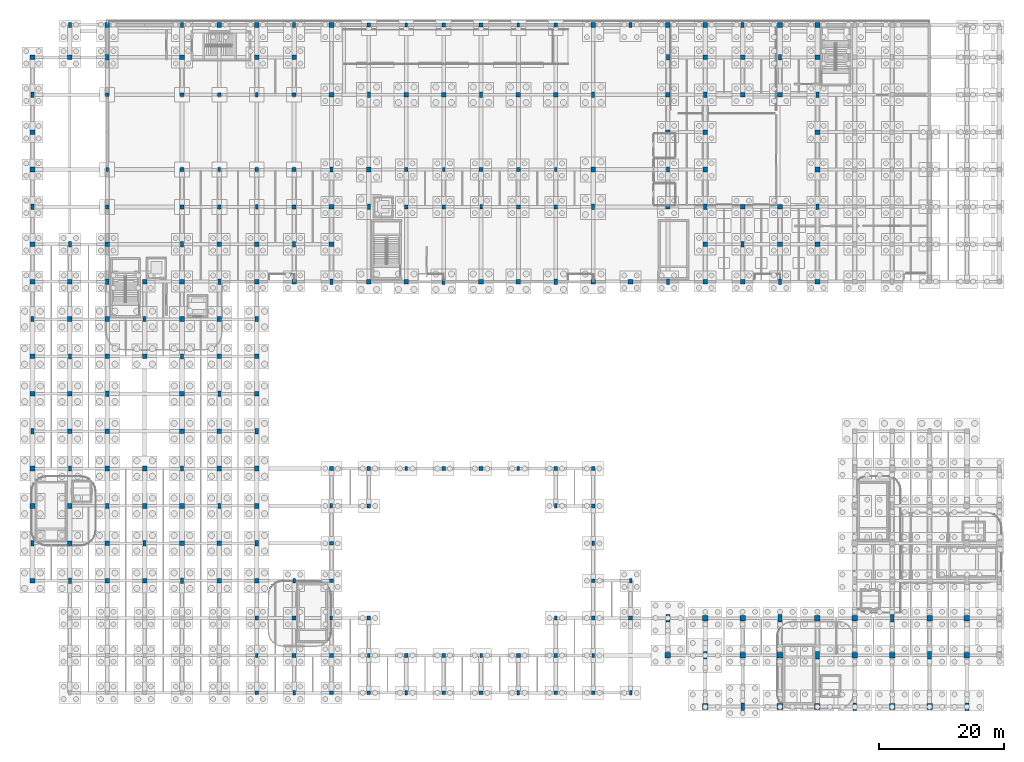
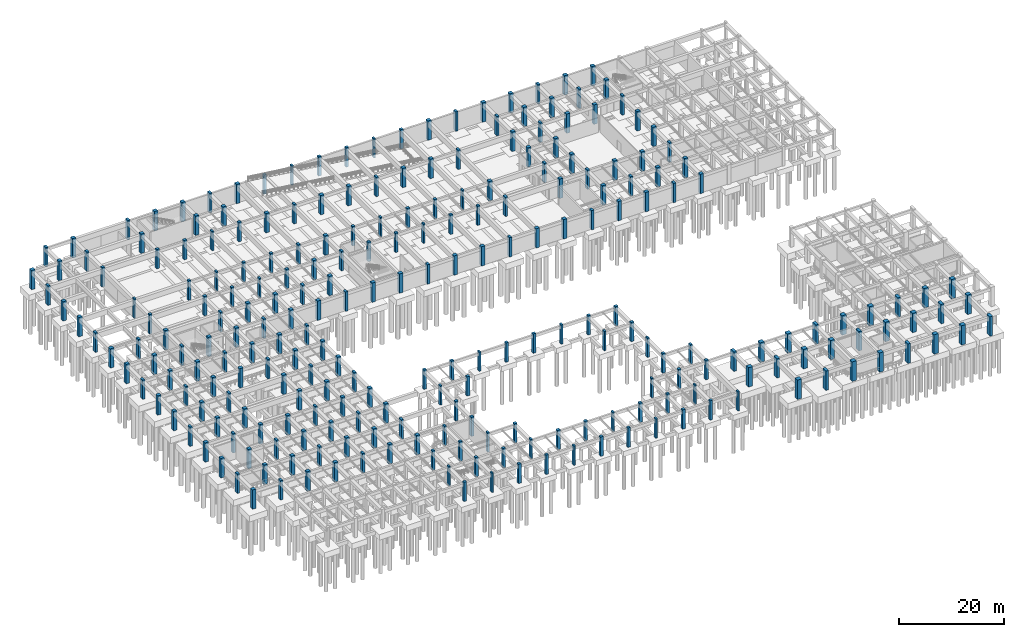
# One storey, part 11 of 32: 250 columns.
"""IFC4 building model written with IfcOpenShell, lengths in metres."""

from ifc_helpers import new_model, si_unit, direction, frame, origin, origin_2d, place, context, subcontext, project, spatial, rectangle, extrude, material, material_profile, profile_set, type_object, element, save


model = new_model("IFC4")

# Units and contexts
model_context = context("Model", 3, precision=1e-05, world=origin(), true_north=direction((0.0, 1.0)))
body_context = subcontext(model_context, "Body", "Model", "MODEL_VIEW")
ifc_project = project(units=[si_unit("LENGTHUNIT", "METRE"), si_unit("AREAUNIT", "SQUARE_METRE"), si_unit("VOLUMEUNIT", "CUBIC_METRE"), si_unit("PLANEANGLEUNIT", "RADIAN"), si_unit("MASSUNIT", "GRAM", prefix="KILO")], contexts=[model_context])

# Site, building, storey
site_placement = place(None, origin())
site = spatial("IfcSite", under=ifc_project, at=site_placement, CompositionType="ELEMENT")
building_placement = place(site_placement, origin())
building = spatial("IfcBuilding", under=site, at=building_placement, Name="Varnakota Square Police Headquarters", CompositionType="ELEMENT")
storey_placement = place(building_placement, frame((0.0, 0.0, -4.5)))
storey = spatial("IfcBuildingStorey", under=building, at=storey_placement, Name="B1", CompositionType="ELEMENT", Elevation=-4.5)

# Columns
ifc_material_1 = material(Name="Concrete M40", Category="concrete")
ifc_material_profile_1 = material_profile(ifc_material_1, rectangle(XDim=0.39990234375, YDim=0.699951171875, at=origin_2d()), Name="RC 400x700")
ifc_profile_set_1 = profile_set([ifc_material_profile_1], Name="Concrete M40")
column_type_1 = type_object("IfcColumnType", Name="COL-RC400x700", PredefinedType="COLUMN", material=ifc_profile_set_1)
for number, where, z_axis, x_axis, name in (
    (1, (18.0, 87.0, 0.0), (0.0, 0.0, 1.0), (1.0, 0.0, 0.0), "Column X0180-Y0870 B1"),
    (2, (36.0, 87.0, 0.0), (0.0, 0.0, 1.0), (1.0, 0.0, 0.0), "Column X0360-Y0870 B1"),
    (3, (42.0, 9.0, 0.0), (0.0, 0.0, 1.0), (1.0, 0.0, 0.0), "Column X0420-Y0090 B1"),
    (4, (42.0, 81.0, 0.0), (0.0, 0.0, 1.0), (1.0, 0.0, 0.0), "Column X0420-Y0810 B1"),
    (5, (42.0, 99.0, 0.0), (0.0, 0.0, 1.0), (1.0, 0.0, 0.0), "Column X0420-Y0990 B1"),
    (6, (48.0, 3.0, 0.0), (0.0, 0.0, 1.0), (1.0, 0.0, 0.0), "Column X0480-Y0030 B1"),
    (7, (48.0, 21.0, 0.0), (0.0, 0.0, 1.0), (1.0, 0.0, 0.0), "Column X0480-Y0210 B1"),
    (8, (54.0, 15.0, 0.0), (0.0, 0.0, 1.0), (1.0, 0.0, 0.0), "Column X0540-Y0150 B1"),
    (9, (54.0, 33.0, 0.0), (0.0, 0.0, 1.0), (1.0, 0.0, 0.0), "Column X0540-Y0330 B1"),
    (10, (60.0, 9.0, 0.0), (0.0, 0.0, 1.0), (1.0, 0.0, 0.0), "Column X0600-Y0090 B1"),
    (11, (66.0, 3.0, 0.0), (0.0, 0.0, 1.0), (1.0, 0.0, 0.0), "Column X0660-Y0030 B1"),
    (12, (66.0, 39.0, 0.0), (0.0, 0.0, 1.0), (1.0, 0.0, 0.0), "Column X0660-Y0390 B1"),
    (13, (66.0, 110.199951171875, 0.0), (0.0, 0.0, 1.0), (1.0, 0.0, 0.0), "Column X0660-Y1102 B1"),
    (14, (72.0, 87.0, 0.0), (0.0, 0.0, 1.0), (1.0, 0.0, 0.0), "Column X0720-Y0870 B1"),
    (15, (78.0, 9.0, 0.0), (0.0, 0.0, 1.0), (1.0, 0.0, 0.0), "Column X0780-Y0090 B1"),
    (16, (78.0, 81.0, 0.0), (0.0, 0.0, 1.0), (1.0, 0.0, 0.0), "Column X0780-Y0810 B1"),
    (17, (84.0, 3.0, 0.0), (0.0, 0.0, 1.0), (1.0, 0.0, 0.0), "Column X0840-Y0030 B1"),
    (18, (84.0, 39.0, 0.0), (0.0, 0.0, 1.0), (1.0, 0.0, 0.0), "Column X0840-Y0390 B1"),
    (19, (84.0, 110.199951171875, 0.0), (0.0, 0.0, 1.0), (1.0, 0.0, 0.0), "Column X0840-Y1102 B1"),
    (20, (90.0, 15.0, 0.0), (0.0, 0.0, 1.0), (1.0, 0.0, 0.0), "Column X0900-Y0150 B1"),
    (21, (90.0, 33.0, 0.0), (0.0, 0.0, 1.0), (1.0, 0.0, 0.0), "Column X0900-Y0330 B1"),
    (22, (90.0, 87.0, 0.0), (0.0, 0.0, 1.0), (1.0, 0.0, 0.0), "Column X0900-Y0870 B1"),
    (23, (96.0, 9.0, 0.0), (0.0, 0.0, 1.0), (1.0, 0.0, 0.0), "Column X0960-Y0090 B1"),
    (24, (96.0, 27.0, 0.0), (0.0, 0.0, 1.0), (1.0, 0.0, 0.0), "Column X0960-Y0270 B1"),
    (25, (102.0, 3.0, 0.0), (0.0, 0.0, 1.0), (1.0, 0.0, 0.0), "Column X1020-Y0030 B1"),
    (26, (102.0, 21.0, 0.0), (0.0, 0.0, 1.0), (1.0, 0.0, 0.0), "Column X1020-Y0210 B1"),
):
    element("IfcColumn", number, at=place(storey_placement, frame(where, z_axis=z_axis, x_axis=x_axis)), inside=storey, type_object=column_type_1, Name=name, PredefinedType="COLUMN", context=body_context, shape_type="SweptSolid", body=[
        extrude(rectangle(XDim=0.39990234375, YDim=0.699951171875, at=origin_2d()), origin(), (0.0, 0.0, 1.0), 4.5),
    ])
ifc_material_2 = material(Name="Concrete M50", Category="concrete")
ifc_material_profile_2 = material_profile(ifc_material_2, rectangle(XDim=0.5, YDim=0.85009765625, at=origin_2d()), Name="RC 500x850")
ifc_profile_set_2 = profile_set([ifc_material_profile_2], Name="Concrete M50")
column_type_2 = type_object("IfcColumnType", Name="COL-RC500x850", PredefinedType="COLUMN", material=ifc_profile_set_2)
for number, where, z_axis, x_axis, name in (
    (27, (6.0, 27.0, 0.0), (0.0, 0.0, 1.0), (1.0, 0.0, 0.0), "Column X0060-Y0270 B1"),
    (28, (6.0, 45.0, 0.0), (0.0, 0.0, 1.0), (1.0, 0.0, 0.0), "Column X0060-Y0450 B1"),
    (29, (6.0, 63.0, 0.0), (0.0, 0.0, 1.0), (1.0, 0.0, 0.0), "Column X0060-Y0630 B1"),
    (30, (6.0, 81.0, 0.0), (0.0, 0.0, 1.0), (1.0, 0.0, 0.0), "Column X0060-Y0810 B1"),
    (31, (6.0, 99.0, 0.0), (0.0, 0.0, 1.0), (1.0, 0.0, 0.0), "Column X0060-Y0990 B1"),
    (32, (12.0, 21.0, 0.0), (0.0, 0.0, 1.0), (1.0, 0.0, 0.0), "Column X0120-Y0210 B1"),
    (33, (12.0, 39.0, 0.0), (0.0, 0.0, 1.0), (1.0, 0.0, 0.0), "Column X0120-Y0390 B1"),
    (34, (12.0, 57.0, 0.0), (0.0, 0.0, 1.0), (1.0, 0.0, 0.0), "Column X0120-Y0570 B1"),
    (35, (12.0, 75.0, 0.0), (0.0, 0.0, 1.0), (1.0, 0.0, 0.0), "Column X0120-Y0750 B1"),
    (36, (12.0, 110.199951171875, 0.0), (0.0, 0.0, 1.0), (1.0, 0.0, 0.0), "Column X0120-Y1102 B1"),
    (37, (18.0, 33.0, 0.0), (0.0, 0.0, 1.0), (1.0, 0.0, 0.0), "Column X0180-Y0330 B1"),
    (38, (18.0, 51.0, 0.0), (0.0, 0.0, 1.0), (1.0, 0.0, 0.0), "Column X0180-Y0510 B1"),
    (39, (18.0, 69.0, 0.0), (0.0, 0.0, 1.0), (1.0, 0.0, 0.0), "Column X0180-Y0690 B1"),
    (40, (18.0, 105.0, 0.0), (0.0, 0.0, 1.0), (1.0, 0.0, 0.0), "Column X0180-Y1050 B1"),
    (41, (24.0, 27.0, 0.0), (0.0, 0.0, 1.0), (1.0, 0.0, 0.0), "Column X0240-Y0270 B1"),
    (42, (24.0, 63.0, 0.0), (0.0, 0.0, 1.0), (1.0, 0.0, 0.0), "Column X0240-Y0630 B1"),
    (43, (30.0, 21.0, 0.0), (0.0, 0.0, 1.0), (1.0, 0.0, 0.0), "Column X0300-Y0210 B1"),
    (44, (30.0, 39.0, 0.0), (0.0, 0.0, 1.0), (1.0, 0.0, 0.0), "Column X0300-Y0390 B1"),
    (45, (30.0, 57.0, 0.0), (0.0, 0.0, 1.0), (1.0, 0.0, 0.0), "Column X0300-Y0570 B1"),
    (46, (30.0, 75.0, 0.0), (0.0, 0.0, 1.0), (1.0, 0.0, 0.0), "Column X0300-Y0750 B1"),
    (47, (30.0, 110.199951171875, 0.0), (0.0, 0.0, 1.0), (1.0, 0.0, 0.0), "Column X0300-Y1102 B1"),
    (48, (36.0, 33.0, 0.0), (0.0, 0.0, 1.0), (1.0, 0.0, 0.0), "Column X0360-Y0330 B1"),
    (49, (36.0, 51.0, 0.0), (0.0, 0.0, 1.0), (1.0, 0.0, 0.0), "Column X0360-Y0510 B1"),
    (50, (36.0, 69.0, 0.0), (0.0, 0.0, 1.0), (1.0, 0.0, 0.0), "Column X0360-Y0690 B1"),
    (51, (42.0, 27.0, 0.0), (0.0, 0.0, 1.0), (1.0, 0.0, 0.0), "Column X0420-Y0270 B1"),
    (52, (42.0, 45.0, 0.0), (0.0, 0.0, 1.0), (1.0, 0.0, 0.0), "Column X0420-Y0450 B1"),
    (53, (42.0, 63.0, 0.0), (0.0, 0.0, 1.0), (1.0, 0.0, 0.0), "Column X0420-Y0630 B1"),
    (54, (48.0, 75.0, 0.0), (0.0, 0.0, 1.0), (1.0, 0.0, 0.0), "Column X0480-Y0750 B1"),
    (55, (48.0, 110.199951171875, 0.0), (0.0, 0.0, 1.0), (1.0, 0.0, 0.0), "Column X0480-Y1102 B1"),
    (56, (54.0, 69.0, 0.0), (0.0, 0.0, 1.0), (1.0, 0.0, 0.0), "Column X0540-Y0690 B1"),
    (57, (54.0, 87.0, 0.0), (0.0, 0.0, 1.0), (1.0, 0.0, 0.0), "Column X0540-Y0870 B1"),
    (58, (60.0, 81.0, 0.0), (0.0, 0.0, 1.0), (1.0, 0.0, 0.0), "Column X0600-Y0810 B1"),
    (59, (60.0, 99.0, 0.0), (0.0, 0.0, 1.0), (1.0, 0.0, 0.0), "Column X0600-Y0990 B1"),
    (60, (72.0, 69.0, 0.0), (0.0, 0.0, 1.0), (1.0, 0.0, 0.0), "Column X0720-Y0690 B1"),
    (61, (78.0, 99.0, 0.0), (0.0, 0.0, 1.0), (1.0, 0.0, 0.0), "Column X0780-Y0990 B1"),
    (62, (90.0, 69.0, 0.0), (0.0, 0.0, 1.0), (1.0, 0.0, 0.0), "Column X0900-Y0690 B1"),
    (63, (96.0, 81.0, 0.0), (0.0, 0.0, 1.0), (1.0, 0.0, 0.0), "Column X0960-Y0810 B1"),
    (64, (96.0, 99.0, 0.0), (0.0, 0.0, 1.0), (1.0, 0.0, 0.0), "Column X0960-Y0990 B1"),
    (65, (102.0, 110.199951171875, 0.0), (0.0, 0.0, 1.0), (1.0, 0.0, 0.0), "Column X1020-Y1102 B1"),
    (66, (108.0, 69.0, 0.0), (0.0, 0.0, 1.0), (1.0, 0.0, 0.0), "Column X1080-Y0690 B1"),
    (67, (108.0, 87.0, 0.0), (0.0, 0.0, 1.0), (1.0, 0.0, 0.0), "Column X1080-Y0870 B1"),
    (68, (108.0, 105.0, 0.0), (0.0, 0.0, 1.0), (1.0, 0.0, 0.0), "Column X1080-Y1050 B1"),
    (69, (114.0, 81.0, 0.0), (0.0, 0.0, 1.0), (1.0, 0.0, 0.0), "Column X1140-Y0810 B1"),
    (70, (114.0, 99.0, 0.0), (0.0, 0.0, 1.0), (1.0, 0.0, 0.0), "Column X1140-Y0990 B1"),
    (71, (120.0, 75.0, 0.0), (0.0, 0.0, 1.0), (1.0, 0.0, 0.0), "Column X1200-Y0750 B1"),
    (72, (120.0, 110.199951171875, 0.0), (0.0, 0.0, 1.0), (1.0, 0.0, 0.0), "Column X1200-Y1102 B1"),
    (73, (126.0, 69.0, 0.0), (0.0, 0.0, 1.0), (1.0, 0.0, 0.0), "Column X1260-Y0690 B1"),
    (74, (126.0, 105.0, 0.0), (0.0, 0.0, 1.0), (1.0, 0.0, 0.0), "Column X1260-Y1050 B1"),
    (75, (132.0, 81.0, 0.0), (0.0, 0.0, 1.0), (1.0, 0.0, 0.0), "Column X1320-Y0810 B1"),
    (76, (132.0, 99.0, 0.0), (0.0, 0.0, 1.0), (1.0, 0.0, 0.0), "Column X1320-Y0990 B1"),
):
    element("IfcColumn", number, at=place(storey_placement, frame(where, z_axis=z_axis, x_axis=x_axis)), inside=storey, type_object=column_type_2, Name=name, PredefinedType="COLUMN", context=body_context, shape_type="SweptSolid", body=[
        extrude(rectangle(XDim=0.5, YDim=0.85009765625, at=origin_2d()), origin(), (0.0, 0.0, 1.0), 4.5),
    ])
ifc_material_profile_3 = material_profile(ifc_material_1, rectangle(XDim=0.60009765625, YDim=0.60009765625, at=origin_2d()), Name="RC 600x600")
ifc_profile_set_3 = profile_set([ifc_material_profile_3], Name="Concrete M40")
column_type_3 = type_object("IfcColumnType", Name="COL-RC600", PredefinedType="COLUMN", material=ifc_profile_set_3)
for number, where, z_axis, x_axis, name in (
    (77, (18.0, 81.0, 0.0), (0.0, 0.0, 1.0), (1.0, 0.0, 0.0), "Column X0180-Y0810 B1"),
    (78, (18.0, 99.0, 0.0), (0.0, 0.0, 1.0), (1.0, 0.0, 0.0), "Column X0180-Y0990 B1"),
    (79, (30.0, 81.0, 0.0), (0.0, 0.0, 1.0), (1.0, 0.0, 0.0), "Column X0300-Y0810 B1"),
    (80, (30.0, 87.0, 0.0), (0.0, 0.0, 1.0), (1.0, 0.0, 0.0), "Column X0300-Y0870 B1"),
    (81, (30.0, 99.0, 0.0), (0.0, 0.0, 1.0), (1.0, 0.0, 0.0), "Column X0300-Y0990 B1"),
    (82, (36.0, 81.0, 0.0), (0.0, 0.0, 1.0), (1.0, 0.0, 0.0), "Column X0360-Y0810 B1"),
    (83, (36.0, 99.0, 0.0), (0.0, 0.0, 1.0), (1.0, 0.0, 0.0), "Column X0360-Y0990 B1"),
    (84, (42.0, 3.0, 0.0), (0.0, 0.0, 1.0), (1.0, 0.0, 0.0), "Column X0420-Y0030 B1"),
    (85, (42.0, 15.0, 0.0), (0.0, 0.0, 1.0), (1.0, 0.0, 0.0), "Column X0420-Y0150 B1"),
    (86, (42.0, 87.0, 0.0), (0.0, 0.0, 1.0), (1.0, 0.0, 0.0), "Column X0420-Y0870 B1"),
    (87, (48.0, 9.0, 0.0), (0.0, 0.0, 1.0), (1.0, 0.0, 0.0), "Column X0480-Y0090 B1"),
    (88, (48.0, 15.0, 0.0), (0.0, 0.0, 1.0), (1.0, 0.0, 0.0), "Column X0480-Y0150 B1"),
    (89, (48.0, 81.0, 0.0), (0.0, 0.0, 1.0), (1.0, 0.0, 0.0), "Column X0480-Y0810 B1"),
    (90, (48.0, 87.0, 0.0), (0.0, 0.0, 1.0), (1.0, 0.0, 0.0), "Column X0480-Y0870 B1"),
    (91, (48.0, 99.0, 0.0), (0.0, 0.0, 1.0), (1.0, 0.0, 0.0), "Column X0480-Y0990 B1"),
    (92, (54.0, 3.0, 0.0), (0.0, 0.0, 1.0), (1.0, 0.0, 0.0), "Column X0540-Y0030 B1"),
    (93, (54.0, 9.0, 0.0), (0.0, 0.0, 1.0), (1.0, 0.0, 0.0), "Column X0540-Y0090 B1"),
    (94, (54.0, 21.0, 0.0), (0.0, 0.0, 1.0), (1.0, 0.0, 0.0), "Column X0540-Y0210 B1"),
    (95, (54.0, 27.0, 0.0), (0.0, 0.0, 1.0), (1.0, 0.0, 0.0), "Column X0540-Y0270 B1"),
    (96, (54.0, 39.0, 0.0), (0.0, 0.0, 1.0), (1.0, 0.0, 0.0), "Column X0540-Y0390 B1"),
    (97, (60.0, 3.0, 0.0), (0.0, 0.0, 1.0), (1.0, 0.0, 0.0), "Column X0600-Y0030 B1"),
    (98, (60.0, 15.0, 0.0), (0.0, 0.0, 1.0), (1.0, 0.0, 0.0), "Column X0600-Y0150 B1"),
    (99, (60.0, 33.0, 0.0), (0.0, 0.0, 1.0), (1.0, 0.0, 0.0), "Column X0600-Y0330 B1"),
    (100, (60.0, 39.0, 0.0), (0.0, 0.0, 1.0), (1.0, 0.0, 0.0), "Column X0600-Y0390 B1"),
    (101, (60.0, 110.199951171875, 0.0), (0.0, 0.0, 1.0), (1.0, 0.0, 0.0), "Column X0600-Y1102 B1"),
    (102, (66.0, 9.0, 0.0), (0.0, 0.0, 1.0), (1.0, 0.0, 0.0), "Column X0660-Y0090 B1"),
    (103, (66.0, 81.0, 0.0), (0.0, 0.0, 1.0), (1.0, 0.0, 0.0), "Column X0660-Y0810 B1"),
    (104, (66.0, 87.0, 0.0), (0.0, 0.0, 1.0), (1.0, 0.0, 0.0), "Column X0660-Y0870 B1"),
    (105, (72.0, 3.0, 0.0), (0.0, 0.0, 1.0), (1.0, 0.0, 0.0), "Column X0720-Y0030 B1"),
    (106, (72.0, 9.0, 0.0), (0.0, 0.0, 1.0), (1.0, 0.0, 0.0), "Column X0720-Y0090 B1"),
    (107, (72.0, 39.0, 0.0), (0.0, 0.0, 1.0), (1.0, 0.0, 0.0), "Column X0720-Y0390 B1"),
    (108, (72.0, 81.0, 0.0), (0.0, 0.0, 1.0), (1.0, 0.0, 0.0), "Column X0720-Y0810 B1"),
    (109, (72.0, 110.199951171875, 0.0), (0.0, 0.0, 1.0), (1.0, 0.0, 0.0), "Column X0720-Y1102 B1"),
    (110, (78.0, 3.0, 0.0), (0.0, 0.0, 1.0), (1.0, 0.0, 0.0), "Column X0780-Y0030 B1"),
    (111, (78.0, 39.0, 0.0), (0.0, 0.0, 1.0), (1.0, 0.0, 0.0), "Column X0780-Y0390 B1"),
    (112, (78.0, 87.0, 0.0), (0.0, 0.0, 1.0), (1.0, 0.0, 0.0), "Column X0780-Y0870 B1"),
    (113, (78.0, 110.199951171875, 0.0), (0.0, 0.0, 1.0), (1.0, 0.0, 0.0), "Column X0780-Y1102 B1"),
    (114, (84.0, 9.0, 0.0), (0.0, 0.0, 1.0), (1.0, 0.0, 0.0), "Column X0840-Y0090 B1"),
    (115, (84.0, 81.0, 0.0), (0.0, 0.0, 1.0), (1.0, 0.0, 0.0), "Column X0840-Y0810 B1"),
    (116, (84.0, 87.0, 0.0), (0.0, 0.0, 1.0), (1.0, 0.0, 0.0), "Column X0840-Y0870 B1"),
    (117, (90.0, 3.0, 0.0), (0.0, 0.0, 1.0), (1.0, 0.0, 0.0), "Column X0900-Y0030 B1"),
    (118, (90.0, 9.0, 0.0), (0.0, 0.0, 1.0), (1.0, 0.0, 0.0), "Column X0900-Y0090 B1"),
    (119, (90.0, 39.0, 0.0), (0.0, 0.0, 1.0), (1.0, 0.0, 0.0), "Column X0900-Y0390 B1"),
    (120, (90.0, 81.0, 0.0), (0.0, 0.0, 1.0), (1.0, 0.0, 0.0), "Column X0900-Y0810 B1"),
    (121, (90.0, 110.199951171875, 0.0), (0.0, 0.0, 1.0), (1.0, 0.0, 0.0), "Column X0900-Y1102 B1"),
    (122, (96.0, 3.0, 0.0), (0.0, 0.0, 1.0), (1.0, 0.0, 0.0), "Column X0960-Y0030 B1"),
    (123, (96.0, 15.0, 0.0), (0.0, 0.0, 1.0), (1.0, 0.0, 0.0), "Column X0960-Y0150 B1"),
    (124, (96.0, 21.0, 0.0), (0.0, 0.0, 1.0), (1.0, 0.0, 0.0), "Column X0960-Y0210 B1"),
    (125, (96.0, 33.0, 0.0), (0.0, 0.0, 1.0), (1.0, 0.0, 0.0), "Column X0960-Y0330 B1"),
    (126, (96.0, 39.0, 0.0), (0.0, 0.0, 1.0), (1.0, 0.0, 0.0), "Column X0960-Y0390 B1"),
    (127, (102.0, 15.0, 0.0), (0.0, 0.0, 1.0), (1.0, 0.0, 0.0), "Column X1020-Y0150 B1"),
):
    element("IfcColumn", number, at=place(storey_placement, frame(where, z_axis=z_axis, x_axis=x_axis)), inside=storey, type_object=column_type_3, Name=name, PredefinedType="COLUMN", context=body_context, shape_type="SweptSolid", body=[
        extrude(rectangle(XDim=0.60009765625, YDim=0.60009765625, at=origin_2d()), origin(), (0.0, 0.0, 1.0), 4.5),
    ])
ifc_material_profile_4 = material_profile(ifc_material_2, rectangle(XDim=0.60009765625, YDim=1.199951171875, at=origin_2d()), Name="RC 600x1200")
ifc_profile_set_4 = profile_set([ifc_material_profile_4], Name="Concrete M50")
column_type_4 = type_object("IfcColumnType", Name="COL-RC600x1200", PredefinedType="COLUMN", material=ifc_profile_set_4)
for number, where, z_axis, x_axis, name in (
    (128, (108.0, 15.0, 0.0), (0.0, 0.0, 1.0), (1.0, 0.0, 0.0), "Column X1080-Y0150 B1"),
    (129, (114.0, 9.0, 0.0), (0.0, 0.0, 1.0), (1.0, 0.0, 0.0), "Column X1140-Y0090 B1"),
    (130, (120.0, 0.800048828125, 0.0), (0.0, 0.0, 1.0), (1.0, 0.0, 0.0), "Column X1200-Y0008 B1"),
    (131, (126.0, 15.0, 0.0), (0.0, 0.0, 1.0), (1.0, 0.0, 0.0), "Column X1260-Y0150 B1"),
    (132, (132.0, 9.0, 0.0), (0.0, 0.0, 1.0), (1.0, 0.0, 0.0), "Column X1320-Y0090 B1"),
    (133, (138.0, 0.800048828125, 0.0), (0.0, 0.0, 1.0), (1.0, 0.0, 0.0), "Column X1380-Y0008 B1"),
    (134, (144.0, 15.0, 0.0), (0.0, 0.0, 1.0), (1.0, 0.0, 0.0), "Column X1440-Y0150 B1"),
    (135, (150.0, 9.0, 0.0), (0.0, 0.0, 1.0), (1.0, 0.0, 0.0), "Column X1500-Y0090 B1"),
    (136, (156.0, 0.800048828125, 0.0), (0.0, 0.0, 1.0), (1.0, 0.0, 0.0), "Column X1560-Y0008 B1"),
):
    element("IfcColumn", number, at=place(storey_placement, frame(where, z_axis=z_axis, x_axis=x_axis)), inside=storey, type_object=column_type_4, Name=name, PredefinedType="COLUMN", context=body_context, shape_type="SweptSolid", body=[
        extrude(rectangle(XDim=0.60009765625, YDim=1.199951171875, at=origin_2d()), origin(), (0.0, 0.0, 1.0), 4.5),
    ])
ifc_material_profile_5 = material_profile(ifc_material_2, rectangle(XDim=0.75, YDim=0.75, at=origin_2d()), Name="RC 750x750")
ifc_profile_set_5 = profile_set([ifc_material_profile_5], Name="Concrete M50")
column_type_5 = type_object("IfcColumnType", Name="COL-RC750", PredefinedType="COLUMN", material=ifc_profile_set_5)
for number, where, z_axis, x_axis, name in (
    (137, (6.0, 21.0, 0.0), (0.0, 0.0, 1.0), (1.0, 0.0, 0.0), "Column X0060-Y0210 B1"),
    (138, (6.0, 33.0, 0.0), (0.0, 0.0, 1.0), (1.0, 0.0, 0.0), "Column X0060-Y0330 B1"),
    (139, (6.0, 39.0, 0.0), (0.0, 0.0, 1.0), (1.0, 0.0, 0.0), "Column X0060-Y0390 B1"),
    (140, (6.0, 51.0, 0.0), (0.0, 0.0, 1.0), (1.0, 0.0, 0.0), "Column X0060-Y0510 B1"),
    (141, (6.0, 57.0, 0.0), (0.0, 0.0, 1.0), (1.0, 0.0, 0.0), "Column X0060-Y0570 B1"),
    (142, (6.0, 69.0, 0.0), (0.0, 0.0, 1.0), (1.0, 0.0, 0.0), "Column X0060-Y0690 B1"),
    (143, (6.0, 75.0, 0.0), (0.0, 0.0, 1.0), (1.0, 0.0, 0.0), "Column X0060-Y0750 B1"),
    (144, (6.0, 87.0, 0.0), (0.0, 0.0, 1.0), (1.0, 0.0, 0.0), "Column X0060-Y0870 B1"),
    (145, (6.0, 93.0, 0.0), (0.0, 0.0, 1.0), (1.0, 0.0, 0.0), "Column X0060-Y0930 B1"),
    (146, (6.0, 105.0, 0.0), (0.0, 0.0, 1.0), (1.0, 0.0, 0.0), "Column X0060-Y1050 B1"),
    (147, (12.0, 27.0, 0.0), (0.0, 0.0, 1.0), (1.0, 0.0, 0.0), "Column X0120-Y0270 B1"),
    (148, (12.0, 33.0, 0.0), (0.0, 0.0, 1.0), (1.0, 0.0, 0.0), "Column X0120-Y0330 B1"),
    (149, (12.0, 45.0, 0.0), (0.0, 0.0, 1.0), (1.0, 0.0, 0.0), "Column X0120-Y0450 B1"),
    (150, (12.0, 51.0, 0.0), (0.0, 0.0, 1.0), (1.0, 0.0, 0.0), "Column X0120-Y0510 B1"),
    (151, (12.0, 63.0, 0.0), (0.0, 0.0, 1.0), (1.0, 0.0, 0.0), "Column X0120-Y0630 B1"),
    (152, (12.0, 69.0, 0.0), (0.0, 0.0, 1.0), (1.0, 0.0, 0.0), "Column X0120-Y0690 B1"),
    (153, (12.0, 105.0, 0.0), (0.0, 0.0, 1.0), (1.0, 0.0, 0.0), "Column X0120-Y1050 B1"),
    (154, (18.0, 21.0, 0.0), (0.0, 0.0, 1.0), (1.0, 0.0, 0.0), "Column X0180-Y0210 B1"),
    (155, (18.0, 27.0, 0.0), (0.0, 0.0, 1.0), (1.0, 0.0, 0.0), "Column X0180-Y0270 B1"),
    (156, (18.0, 39.0, 0.0), (0.0, 0.0, 1.0), (1.0, 0.0, 0.0), "Column X0180-Y0390 B1"),
    (157, (18.0, 45.0, 0.0), (0.0, 0.0, 1.0), (1.0, 0.0, 0.0), "Column X0180-Y0450 B1"),
    (158, (18.0, 57.0, 0.0), (0.0, 0.0, 1.0), (1.0, 0.0, 0.0), "Column X0180-Y0570 B1"),
    (159, (18.0, 63.0, 0.0), (0.0, 0.0, 1.0), (1.0, 0.0, 0.0), "Column X0180-Y0630 B1"),
    (160, (18.0, 75.0, 0.0), (0.0, 0.0, 1.0), (1.0, 0.0, 0.0), "Column X0180-Y0750 B1"),
    (161, (18.0, 110.199951171875, 0.0), (0.0, 0.0, 1.0), (1.0, 0.0, 0.0), "Column X0180-Y1102 B1"),
    (162, (24.0, 21.0, 0.0), (0.0, 0.0, 1.0), (1.0, 0.0, 0.0), "Column X0240-Y0210 B1"),
    (163, (24.0, 33.0, 0.0), (0.0, 0.0, 1.0), (1.0, 0.0, 0.0), "Column X0240-Y0330 B1"),
    (164, (24.0, 39.0, 0.0), (0.0, 0.0, 1.0), (1.0, 0.0, 0.0), "Column X0240-Y0390 B1"),
    (165, (24.0, 57.0, 0.0), (0.0, 0.0, 1.0), (1.0, 0.0, 0.0), "Column X0240-Y0570 B1"),
    (166, (24.0, 69.0, 0.0), (0.0, 0.0, 1.0), (1.0, 0.0, 0.0), "Column X0240-Y0690 B1"),
    (167, (30.0, 27.0, 0.0), (0.0, 0.0, 1.0), (1.0, 0.0, 0.0), "Column X0300-Y0270 B1"),
    (168, (30.0, 33.0, 0.0), (0.0, 0.0, 1.0), (1.0, 0.0, 0.0), "Column X0300-Y0330 B1"),
    (169, (30.0, 45.0, 0.0), (0.0, 0.0, 1.0), (1.0, 0.0, 0.0), "Column X0300-Y0450 B1"),
    (170, (30.0, 51.0, 0.0), (0.0, 0.0, 1.0), (1.0, 0.0, 0.0), "Column X0300-Y0510 B1"),
    (171, (30.0, 63.0, 0.0), (0.0, 0.0, 1.0), (1.0, 0.0, 0.0), "Column X0300-Y0630 B1"),
    (172, (30.0, 69.0, 0.0), (0.0, 0.0, 1.0), (1.0, 0.0, 0.0), "Column X0300-Y0690 B1"),
    (173, (30.0, 105.0, 0.0), (0.0, 0.0, 1.0), (1.0, 0.0, 0.0), "Column X0300-Y1050 B1"),
    (174, (36.0, 21.0, 0.0), (0.0, 0.0, 1.0), (1.0, 0.0, 0.0), "Column X0360-Y0210 B1"),
    (175, (36.0, 27.0, 0.0), (0.0, 0.0, 1.0), (1.0, 0.0, 0.0), "Column X0360-Y0270 B1"),
    (176, (36.0, 39.0, 0.0), (0.0, 0.0, 1.0), (1.0, 0.0, 0.0), "Column X0360-Y0390 B1"),
    (177, (36.0, 45.0, 0.0), (0.0, 0.0, 1.0), (1.0, 0.0, 0.0), "Column X0360-Y0450 B1"),
    (178, (36.0, 57.0, 0.0), (0.0, 0.0, 1.0), (1.0, 0.0, 0.0), "Column X0360-Y0570 B1"),
    (179, (36.0, 63.0, 0.0), (0.0, 0.0, 1.0), (1.0, 0.0, 0.0), "Column X0360-Y0630 B1"),
    (180, (36.0, 75.0, 0.0), (0.0, 0.0, 1.0), (1.0, 0.0, 0.0), "Column X0360-Y0750 B1"),
    (181, (36.0, 110.199951171875, 0.0), (0.0, 0.0, 1.0), (1.0, 0.0, 0.0), "Column X0360-Y1102 B1"),
    (182, (42.0, 21.0, 0.0), (0.0, 0.0, 1.0), (1.0, 0.0, 0.0), "Column X0420-Y0210 B1"),
    (183, (42.0, 33.0, 0.0), (0.0, 0.0, 1.0), (1.0, 0.0, 0.0), "Column X0420-Y0330 B1"),
    (184, (42.0, 39.0, 0.0), (0.0, 0.0, 1.0), (1.0, 0.0, 0.0), "Column X0420-Y0390 B1"),
    (185, (42.0, 51.0, 0.0), (0.0, 0.0, 1.0), (1.0, 0.0, 0.0), "Column X0420-Y0510 B1"),
    (186, (42.0, 57.0, 0.0), (0.0, 0.0, 1.0), (1.0, 0.0, 0.0), "Column X0420-Y0570 B1"),
    (187, (42.0, 69.0, 0.0), (0.0, 0.0, 1.0), (1.0, 0.0, 0.0), "Column X0420-Y0690 B1"),
    (188, (42.0, 75.0, 0.0), (0.0, 0.0, 1.0), (1.0, 0.0, 0.0), "Column X0420-Y0750 B1"),
    (189, (42.0, 105.0, 0.0), (0.0, 0.0, 1.0), (1.0, 0.0, 0.0), "Column X0420-Y1050 B1"),
    (190, (42.0, 110.199951171875, 0.0), (0.0, 0.0, 1.0), (1.0, 0.0, 0.0), "Column X0420-Y1102 B1"),
    (191, (48.0, 69.0, 0.0), (0.0, 0.0, 1.0), (1.0, 0.0, 0.0), "Column X0480-Y0690 B1"),
    (192, (48.0, 105.0, 0.0), (0.0, 0.0, 1.0), (1.0, 0.0, 0.0), "Column X0480-Y1050 B1"),
    (193, (54.0, 75.0, 0.0), (0.0, 0.0, 1.0), (1.0, 0.0, 0.0), "Column X0540-Y0750 B1"),
    (194, (54.0, 81.0, 0.0), (0.0, 0.0, 1.0), (1.0, 0.0, 0.0), "Column X0540-Y0810 B1"),
    (195, (54.0, 99.0, 0.0), (0.0, 0.0, 1.0), (1.0, 0.0, 0.0), "Column X0540-Y0990 B1"),
    (196, (54.0, 110.199951171875, 0.0), (0.0, 0.0, 1.0), (1.0, 0.0, 0.0), "Column X0540-Y1102 B1"),
    (197, (60.0, 69.0, 0.0), (0.0, 0.0, 1.0), (1.0, 0.0, 0.0), "Column X0600-Y0690 B1"),
    (198, (60.0, 87.0, 0.0), (0.0, 0.0, 1.0), (1.0, 0.0, 0.0), "Column X0600-Y0870 B1"),
    (199, (66.0, 69.0, 0.0), (0.0, 0.0, 1.0), (1.0, 0.0, 0.0), "Column X0660-Y0690 B1"),
    (200, (66.0, 99.0, 0.0), (0.0, 0.0, 1.0), (1.0, 0.0, 0.0), "Column X0660-Y0990 B1"),
    (201, (72.0, 99.0, 0.0), (0.0, 0.0, 1.0), (1.0, 0.0, 0.0), "Column X0720-Y0990 B1"),
    (202, (78.0, 69.0, 0.0), (0.0, 0.0, 1.0), (1.0, 0.0, 0.0), "Column X0780-Y0690 B1"),
    (203, (84.0, 69.0, 0.0), (0.0, 0.0, 1.0), (1.0, 0.0, 0.0), "Column X0840-Y0690 B1"),
    (204, (84.0, 99.0, 0.0), (0.0, 0.0, 1.0), (1.0, 0.0, 0.0), "Column X0840-Y0990 B1"),
    (205, (90.0, 99.0, 0.0), (0.0, 0.0, 1.0), (1.0, 0.0, 0.0), "Column X0900-Y0990 B1"),
    (206, (96.0, 69.0, 0.0), (0.0, 0.0, 1.0), (1.0, 0.0, 0.0), "Column X0960-Y0690 B1"),
    (207, (96.0, 87.0, 0.0), (0.0, 0.0, 1.0), (1.0, 0.0, 0.0), "Column X0960-Y0870 B1"),
    (208, (96.0, 110.199951171875, 0.0), (0.0, 0.0, 1.0), (1.0, 0.0, 0.0), "Column X0960-Y1102 B1"),
    (209, (102.0, 69.0, 0.0), (0.0, 0.0, 1.0), (1.0, 0.0, 0.0), "Column X1020-Y0690 B1"),
    (210, (108.0, 81.0, 0.0), (0.0, 0.0, 1.0), (1.0, 0.0, 0.0), "Column X1080-Y0810 B1"),
    (211, (108.0, 93.0, 0.0), (0.0, 0.0, 1.0), (1.0, 0.0, 0.0), "Column X1080-Y0930 B1"),
    (212, (108.0, 99.0, 0.0), (0.0, 0.0, 1.0), (1.0, 0.0, 0.0), "Column X1080-Y0990 B1"),
    (213, (108.0, 110.199951171875, 0.0), (0.0, 0.0, 1.0), (1.0, 0.0, 0.0), "Column X1080-Y1102 B1"),
    (214, (114.0, 69.0, 0.0), (0.0, 0.0, 1.0), (1.0, 0.0, 0.0), "Column X1140-Y0690 B1"),
    (215, (114.0, 75.0, 0.0), (0.0, 0.0, 1.0), (1.0, 0.0, 0.0), "Column X1140-Y0750 B1"),
    (216, (114.0, 87.0, 0.0), (0.0, 0.0, 1.0), (1.0, 0.0, 0.0), "Column X1140-Y0870 B1"),
    (217, (114.0, 93.0, 0.0), (0.0, 0.0, 1.0), (1.0, 0.0, 0.0), "Column X1140-Y0930 B1"),
    (218, (114.0, 105.0, 0.0), (0.0, 0.0, 1.0), (1.0, 0.0, 0.0), "Column X1140-Y1050 B1"),
    (219, (114.0, 110.199951171875, 0.0), (0.0, 0.0, 1.0), (1.0, 0.0, 0.0), "Column X1140-Y1102 B1"),
    (220, (120.0, 69.0, 0.0), (0.0, 0.0, 1.0), (1.0, 0.0, 0.0), "Column X1200-Y0690 B1"),
    (221, (120.0, 81.0, 0.0), (0.0, 0.0, 1.0), (1.0, 0.0, 0.0), "Column X1200-Y0810 B1"),
    (222, (120.0, 99.0, 0.0), (0.0, 0.0, 1.0), (1.0, 0.0, 0.0), "Column X1200-Y0990 B1"),
    (223, (120.0, 105.0, 0.0), (0.0, 0.0, 1.0), (1.0, 0.0, 0.0), "Column X1200-Y1050 B1"),
    (224, (126.0, 75.0, 0.0), (0.0, 0.0, 1.0), (1.0, 0.0, 0.0), "Column X1260-Y0750 B1"),
    (225, (126.0, 81.0, 0.0), (0.0, 0.0, 1.0), (1.0, 0.0, 0.0), "Column X1260-Y0810 B1"),
    (226, (126.0, 99.0, 0.0), (0.0, 0.0, 1.0), (1.0, 0.0, 0.0), "Column X1260-Y0990 B1"),
    (227, (126.0, 110.199951171875, 0.0), (0.0, 0.0, 1.0), (1.0, 0.0, 0.0), "Column X1260-Y1102 B1"),
    (228, (132.0, 69.0, 0.0), (0.0, 0.0, 1.0), (1.0, 0.0, 0.0), "Column X1320-Y0690 B1"),
    (229, (132.0, 75.0, 0.0), (0.0, 0.0, 1.0), (1.0, 0.0, 0.0), "Column X1320-Y0750 B1"),
    (230, (132.0, 87.0, 0.0), (0.0, 0.0, 1.0), (1.0, 0.0, 0.0), "Column X1320-Y0870 B1"),
    (231, (132.0, 93.0, 0.0), (0.0, 0.0, 1.0), (1.0, 0.0, 0.0), "Column X1320-Y0930 B1"),
    (232, (132.0, 105.0, 0.0), (0.0, 0.0, 1.0), (1.0, 0.0, 0.0), "Column X1320-Y1050 B1"),
    (233, (132.0, 110.199951171875, 0.0), (0.0, 0.0, 1.0), (1.0, 0.0, 0.0), "Column X1320-Y1102 B1"),
):
    element("IfcColumn", number, at=place(storey_placement, frame(where, z_axis=z_axis, x_axis=x_axis)), inside=storey, type_object=column_type_5, Name=name, PredefinedType="COLUMN", context=body_context, shape_type="SweptSolid", body=[
        extrude(rectangle(XDim=0.75, YDim=0.75, at=origin_2d()), origin(), (0.0, 0.0, 1.0), 4.5),
    ])
ifc_material_profile_6 = material_profile(ifc_material_2, rectangle(XDim=0.89990234375, YDim=0.89990234375, at=origin_2d()), Name="RC 900x900")
ifc_profile_set_6 = profile_set([ifc_material_profile_6], Name="Concrete M50")
column_type_6 = type_object("IfcColumnType", Name="COL-RC900", PredefinedType="COLUMN", material=ifc_profile_set_6)
for number, where, z_axis, x_axis, name in (
    (234, (108.0, 9.0, 0.0), (0.0, 0.0, 1.0), (1.0, 0.0, 0.0), "Column X1080-Y0090 B1"),
    (235, (114.0, 0.800048828125, 0.0), (0.0, 0.0, 1.0), (1.0, 0.0, 0.0), "Column X1140-Y0008 B1"),
    (236, (114.0, 15.0, 0.0), (0.0, 0.0, 1.0), (1.0, 0.0, 0.0), "Column X1140-Y0150 B1"),
    (237, (120.0, 9.0, 0.0), (0.0, 0.0, 1.0), (1.0, 0.0, 0.0), "Column X1200-Y0090 B1"),
    (238, (120.0, 15.0, 0.0), (0.0, 0.0, 1.0), (1.0, 0.0, 0.0), "Column X1200-Y0150 B1"),
    (239, (126.0, 0.800048828125, 0.0), (0.0, 0.0, 1.0), (1.0, 0.0, 0.0), "Column X1260-Y0008 B1"),
    (240, (126.0, 9.0, 0.0), (0.0, 0.0, 1.0), (1.0, 0.0, 0.0), "Column X1260-Y0090 B1"),
    (241, (132.0, 0.800048828125, 0.0), (0.0, 0.0, 1.0), (1.0, 0.0, 0.0), "Column X1320-Y0008 B1"),
    (242, (132.0, 15.0, 0.0), (0.0, 0.0, 1.0), (1.0, 0.0, 0.0), "Column X1320-Y0150 B1"),
    (243, (138.0, 9.0, 0.0), (0.0, 0.0, 1.0), (1.0, 0.0, 0.0), "Column X1380-Y0090 B1"),
    (244, (138.0, 15.0, 0.0), (0.0, 0.0, 1.0), (1.0, 0.0, 0.0), "Column X1380-Y0150 B1"),
    (245, (144.0, 0.800048828125, 0.0), (0.0, 0.0, 1.0), (1.0, 0.0, 0.0), "Column X1440-Y0008 B1"),
    (246, (144.0, 9.0, 0.0), (0.0, 0.0, 1.0), (1.0, 0.0, 0.0), "Column X1440-Y0090 B1"),
    (247, (150.0, 0.800048828125, 0.0), (0.0, 0.0, 1.0), (1.0, 0.0, 0.0), "Column X1500-Y0008 B1"),
    (248, (150.0, 15.0, 0.0), (0.0, 0.0, 1.0), (1.0, 0.0, 0.0), "Column X1500-Y0150 B1"),
    (249, (156.0, 9.0, 0.0), (0.0, 0.0, 1.0), (1.0, 0.0, 0.0), "Column X1560-Y0090 B1"),
    (250, (156.0, 15.0, 0.0), (0.0, 0.0, 1.0), (1.0, 0.0, 0.0), "Column X1560-Y0150 B1"),
):
    element("IfcColumn", number, at=place(storey_placement, frame(where, z_axis=z_axis, x_axis=x_axis)), inside=storey, type_object=column_type_6, Name=name, PredefinedType="COLUMN", context=body_context, shape_type="SweptSolid", body=[
        extrude(rectangle(XDim=0.89990234375, YDim=0.89990234375, at=origin_2d()), origin(), (0.0, 0.0, 1.0), 4.5),
    ])

save(model, "model.ifc")
